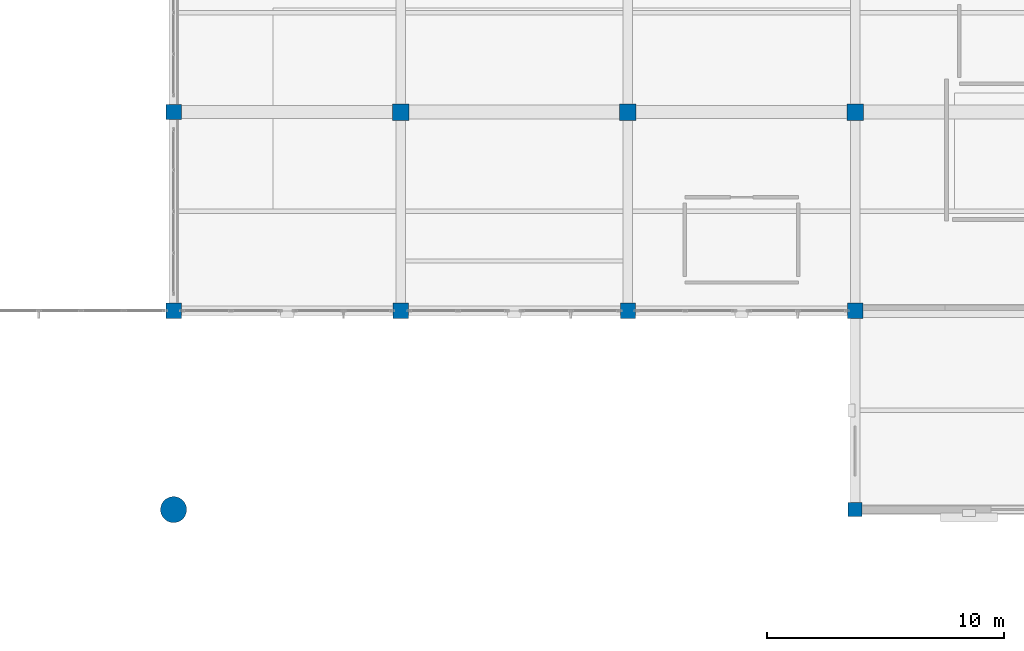
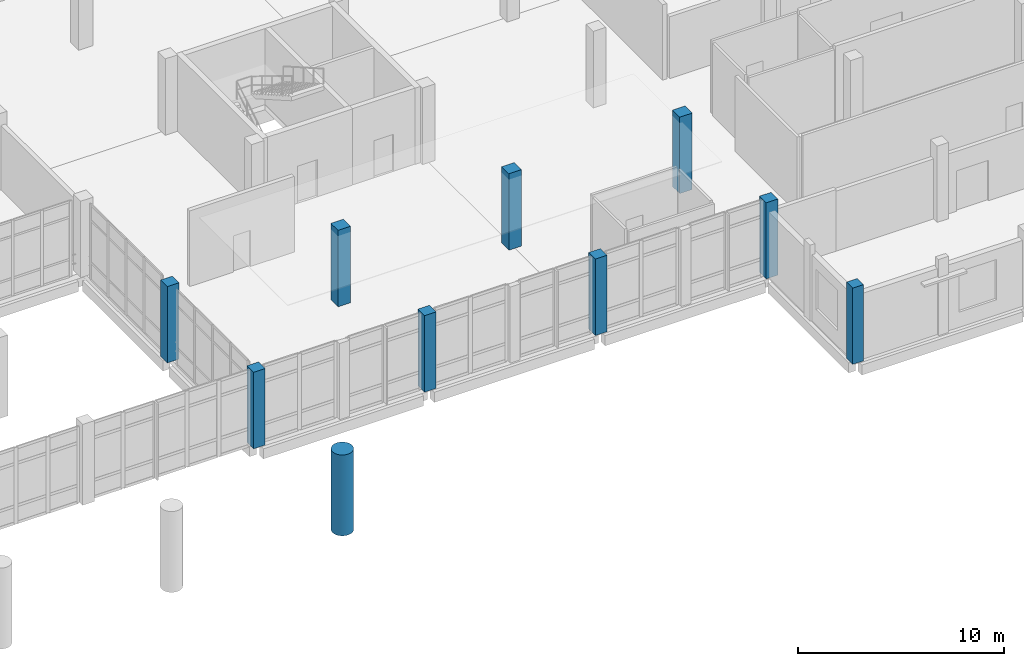
# One storey, part 6 of 102: 10 columns.
"""IFC4 building model written with IfcOpenShell, lengths in metres."""

from ifc_helpers import new_model, si_unit, direction, frame, origin, origin_2d, place, context, subcontext, project, spatial, rectangle, circle, extrude, material, material_profile, profile_set, type_object, element, save


model = new_model("IFC4")

# Units and contexts
model_context = context("Model", 3, precision=1e-05, world=origin(), true_north=direction((0.0, 1.0)))
body_context = subcontext(model_context, "Body", "Model", "MODEL_VIEW")
ifc_project = project(units=[si_unit("LENGTHUNIT", "METRE"), si_unit("AREAUNIT", "SQUARE_METRE"), si_unit("VOLUMEUNIT", "CUBIC_METRE"), si_unit("PLANEANGLEUNIT", "RADIAN"), si_unit("MASSUNIT", "GRAM", prefix="KILO")], contexts=[model_context])

# Site, building, storey
site_placement = place(None, origin())
site = spatial("IfcSite", under=ifc_project, at=site_placement, CompositionType="ELEMENT")
building_placement = place(site_placement, origin())
building = spatial("IfcBuilding", under=site, at=building_placement, Name="Lornevale Opera House", CompositionType="ELEMENT")
storey_placement = place(building_placement, frame((0.0, 0.0, 5.39990234375)))
storey = spatial("IfcBuildingStorey", under=building, at=storey_placement, Name="L02", CompositionType="ELEMENT", Elevation=5.39990234375)

# Columns
ifc_material_1 = material(Name="Concrete 35 MPa (CSA A23.1 N)", Category="concrete")
ifc_material_profile_1 = material_profile(ifc_material_1, rectangle(XDim=0.60009765625, YDim=0.60009765625, at=origin_2d()), Name="RC600x600")
ifc_profile_set_1 = profile_set([ifc_material_profile_1], Name="Concrete 35 MPa (CSA A23.1 N)")
column_type_1 = type_object("IfcColumnType", Name="Concrete Column 600x600", PredefinedType="COLUMN", material=ifc_profile_set_1)
column_1_placement = place(storey_placement, frame((124.800048828125, 8.39990234375, 0.0), z_axis=(0.0, 0.0, 1.0), x_axis=(1.0, 0.0, 0.0)))
element("IfcColumn", 1, at=column_1_placement, inside=storey, type_object=column_type_1, Name="Concrete Column 600x600 0837", PredefinedType="COLUMN", context=body_context, shape_type="SweptSolid", body=[
    extrude(rectangle(XDim=0.60009765625, YDim=0.60009765625, at=origin_2d()), origin(), (0.0, 0.0, 1.0), 4.530029296875),
])
ifc_material_2 = material(Name="Concrete 40 MPa (CSA A23.1 C-1)", Category="concrete")
ifc_material_profile_2 = material_profile(ifc_material_2, rectangle(XDim=0.64990234375, YDim=0.64990234375, at=origin_2d()), Name="RC650x650")
ifc_profile_set_2 = profile_set([ifc_material_profile_2], Name="Concrete 40 MPa (CSA A23.1 C-1)")
column_type_2 = type_object("IfcColumnType", Name="Concrete Column 650x650", PredefinedType="COLUMN", material=ifc_profile_set_2)
for number, where, z_axis, x_axis, name in (
    (2, (96.0, 16.800048828125, 0.0), (0.0, 0.0, 1.0), (1.0, 0.0, 0.0), "Concrete Column 650x650 0606"),
    (3, (96.0, 25.199951171875, 0.0), (0.0, 0.0, 1.0), (1.0, 0.0, 0.0), "Concrete Column 650x650 0611"),
    (4, (105.60009765625, 16.800048828125, 0.0), (0.0, 0.0, 1.0), (1.0, 0.0, 0.0), "Concrete Column 650x650 0686"),
    (5, (115.199951171875, 16.800048828125, 0.0), (0.0, 0.0, 1.0), (1.0, 0.0, 0.0), "Concrete Column 650x650 0761"),
):
    element("IfcColumn", number, at=place(storey_placement, frame(where, z_axis=z_axis, x_axis=x_axis)), inside=storey, type_object=column_type_2, Name=name, PredefinedType="COLUMN", context=body_context, shape_type="SweptSolid", body=[
        extrude(rectangle(XDim=0.64990234375, YDim=0.64990234375, at=origin_2d()), origin(), (0.0, 0.0, 1.0), 4.5400390625),
    ])
column_2_placement = place(storey_placement, frame((124.800048828125, 16.800048828125, 0.0), z_axis=(0.0, 0.0, 1.0), x_axis=(1.0, 0.0, 0.0)))
element("IfcColumn", 6, at=column_2_placement, inside=storey, type_object=column_type_2, Name="Concrete Column 650x650 0841", PredefinedType="COLUMN", context=body_context, shape_type="SweptSolid", body=[
    extrude(rectangle(XDim=0.64990234375, YDim=0.64990234375, at=origin_2d()), origin(), (0.0, 0.0, 1.0), 4.530029296875),
])
ifc_material_profile_3 = material_profile(ifc_material_2, rectangle(XDim=0.699951171875, YDim=0.699951171875, at=origin_2d()), Name="RC700x700")
ifc_profile_set_3 = profile_set([ifc_material_profile_3], Name="Concrete 40 MPa (CSA A23.1 C-1)")
column_type_3 = type_object("IfcColumnType", Name="Concrete Column 700x700", PredefinedType="COLUMN", material=ifc_profile_set_3)
for number, where, z_axis, x_axis, name in (
    (7, (105.60009765625, 25.199951171875, 0.0), (0.0, 0.0, 1.0), (1.0, 0.0, 0.0), "Concrete Column 700x700 0691"),
    (8, (115.199951171875, 25.199951171875, 0.0), (0.0, 0.0, 1.0), (1.0, 0.0, 0.0), "Concrete Column 700x700 0766"),
    (9, (124.800048828125, 25.199951171875, 0.0), (0.0, 0.0, 1.0), (1.0, 0.0, 0.0), "Concrete Column 700x700 0846"),
):
    element("IfcColumn", number, at=place(storey_placement, frame(where, z_axis=z_axis, x_axis=x_axis)), inside=storey, type_object=column_type_3, Name=name, PredefinedType="COLUMN", context=body_context, shape_type="SweptSolid", body=[
        extrude(rectangle(XDim=0.699951171875, YDim=0.699951171875, at=origin_2d()), origin(), (0.0, 0.0, 1.0), 4.5400390625),
    ])
ifc_material_3 = material(Name="Precast Concrete 40 MPa (CSA A23.1 C-1)", Category="concrete")
ifc_material_profile_4 = material_profile(ifc_material_3, circle(Radius=0.550048828125, at=origin_2d()), Name="RCCOL1100")
ifc_profile_set_4 = profile_set([ifc_material_profile_4], Name="Precast Concrete 40 MPa (CSA A23.1 C-1)")
column_type_4 = type_object("IfcColumnType", Name="Postmodern Portico Column D1100", PredefinedType="COLUMN", material=ifc_profile_set_4)
column_3_placement = place(storey_placement, frame((96.0, 8.39990234375, 0.0), z_axis=(0.0, 0.0, 1.0), x_axis=(1.0, 0.0, 0.0)))
element("IfcColumn", 10, at=column_3_placement, inside=storey, type_object=column_type_4, Name="Postmodern Portico Column D1100 0601", PredefinedType="COLUMN", context=body_context, shape_type="SweptSolid", body=[
    extrude(circle(Radius=0.550048828125, at=origin_2d()), origin(), (0.0, 0.0, 1.0), 4.800048828125),
])

save(model, "model.ifc")
